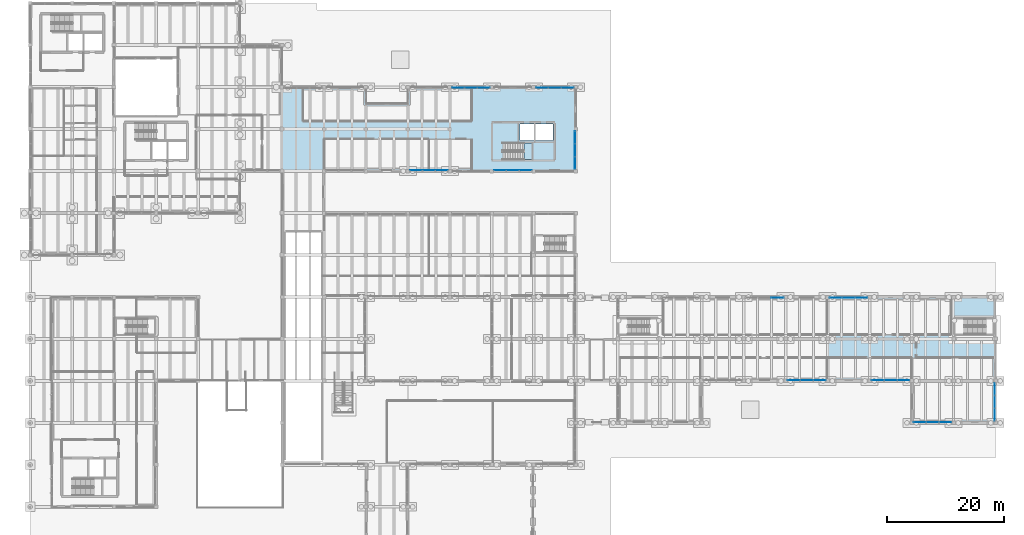
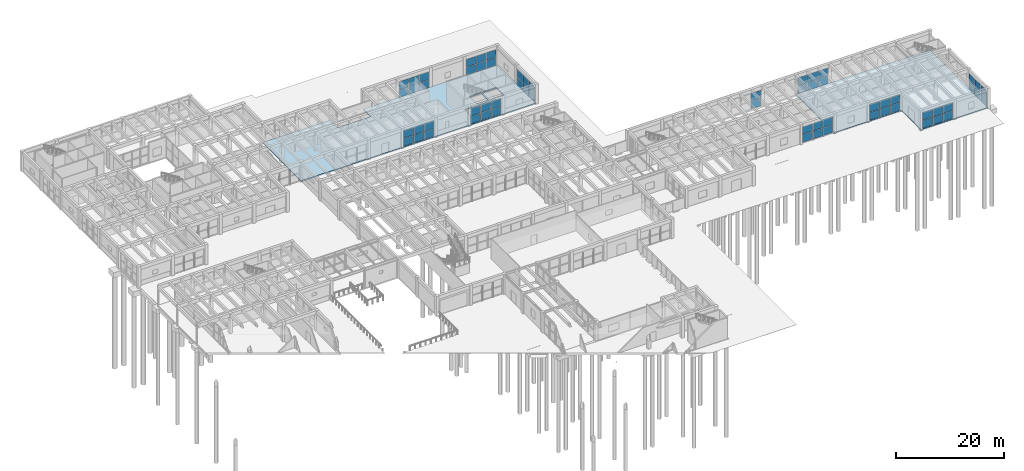
# One storey, part 115 of 155: 62 plates, 3 slabs, 12 elements without a shape of their own.
"""IFC4 building model written with IfcOpenShell, lengths in metres."""

from ifc_helpers import new_model, si_unit, direction, frame, origin, origin_2d, place, context, subcontext, project, spatial, polyline, rectangle, outline, extrude, material, layer, layer_set, type_object, element, aggregate, save


model = new_model("IFC4")

# Units and contexts
model_context = context("Model", 3, precision=1e-05, world=origin(), true_north=direction((0.0, 1.0)))
body_context = subcontext(model_context, "Body", "Model", "MODEL_VIEW")
ifc_project = project(units=[si_unit("LENGTHUNIT", "METRE"), si_unit("AREAUNIT", "SQUARE_METRE"), si_unit("VOLUMEUNIT", "CUBIC_METRE"), si_unit("PLANEANGLEUNIT", "RADIAN"), si_unit("MASSUNIT", "GRAM", prefix="KILO")], contexts=[model_context])

# Site, building, storey
site_placement = place(None, origin())
site = spatial("IfcSite", under=ifc_project, at=site_placement, CompositionType="ELEMENT")
building_placement = place(site_placement, origin())
building = spatial("IfcBuilding", under=site, at=building_placement, Name="Bramvelor Terrace Health Centre", CompositionType="ELEMENT")
storey_placement = place(building_placement, origin())
storey = spatial("IfcBuildingStorey", under=building, at=storey_placement, Name="L01", CompositionType="ELEMENT", Elevation=0.0)

# Curtain wall, plates
ifc_material_1 = material(Name="Anodized aluminium and double low-E glass", Category="aluminium")
curtain_wall_type = type_object("IfcCurtainWallType", Name="CW-SYS-02", PredefinedType="NOTDEFINED", material=ifc_material_1)
curtain_wall_1_placement = place(storey_placement, origin())
curtain_wall_1 = element("IfcCurtainWall", 1, at=curtain_wall_1_placement, inside=storey, type_object=curtain_wall_type, Name="L01 Unitized Curtain Wall 23", PredefinedType="NOTDEFINED")
ifc_material_2 = material(Name="Double low-E laminated glass", Category="glass")
ifc_layer_1 = layer(ifc_material_2, 0.028076171875)
ifc_layer_set_1 = layer_set([ifc_layer_1], Name="Double low-E laminated glass")
plate_type = type_object("IfcPlateType", Name="CW-PNL-GLZ28", PredefinedType="CURTAIN_PANEL", material=ifc_layer_set_1)
plate_1_placement = place(storey_placement, frame((73.41552734375, 100.669921875, 0.06494140625), z_axis=(0.0, 0.0, 1.0), x_axis=(1.0, 0.0, 0.0)))
plate_1 = element("IfcPlate", 2, at=plate_1_placement, type_object=plate_type, Name="CW-02 panel 1.1", PredefinedType="CURTAIN_PANEL", context=body_context, shape_type="SweptSolid", body=[
    extrude(rectangle(XDim=2.0908203125, YDim=0.028076171875, at=origin_2d()), origin(), (0.0, 0.0, 1.0), 1.74755859375),
])
plate_2_placement = place(storey_placement, frame((73.41552734375, 100.669921875, 1.87744140625), z_axis=(0.0, 0.0, 1.0), x_axis=(1.0, 0.0, 0.0)))
plate_2 = element("IfcPlate", 3, at=plate_2_placement, type_object=plate_type, Name="CW-02 panel 1.2", PredefinedType="CURTAIN_PANEL", context=body_context, shape_type="SweptSolid", body=[
    extrude(rectangle(XDim=2.0908203125, YDim=0.028076171875, at=origin_2d()), origin(), (0.0, 0.0, 1.0), 1.74755859375),
])
plate_3_placement = place(storey_placement, frame((75.60009765625, 100.669921875, 0.06494140625), z_axis=(0.0, 0.0, 1.0), x_axis=(1.0, 0.0, 0.0)))
plate_3 = element("IfcPlate", 4, at=plate_3_placement, type_object=plate_type, Name="CW-02 panel 2.1", PredefinedType="CURTAIN_PANEL", context=body_context, shape_type="SweptSolid", body=[
    extrude(rectangle(XDim=2.12841796875, YDim=0.028076171875, at=origin_2d()), origin(), (0.0, 0.0, 1.0), 1.74755859375),
])
plate_4_placement = place(storey_placement, frame((75.60009765625, 100.669921875, 1.87744140625), z_axis=(0.0, 0.0, 1.0), x_axis=(1.0, 0.0, 0.0)))
plate_4 = element("IfcPlate", 5, at=plate_4_placement, type_object=plate_type, Name="CW-02 panel 2.2", PredefinedType="CURTAIN_PANEL", context=body_context, shape_type="SweptSolid", body=[
    extrude(rectangle(XDim=2.12841796875, YDim=0.028076171875, at=origin_2d()), origin(), (0.0, 0.0, 1.0), 1.74755859375),
])
plate_5_placement = place(storey_placement, frame((77.78466796875, 100.669921875, 0.06494140625), z_axis=(0.0, 0.0, 1.0), x_axis=(1.0, 0.0, 0.0)))
plate_5 = element("IfcPlate", 6, at=plate_5_placement, type_object=plate_type, Name="CW-02 panel 3.1", PredefinedType="CURTAIN_PANEL", context=body_context, shape_type="SweptSolid", body=[
    extrude(rectangle(XDim=2.0908203125, YDim=0.028076171875, at=origin_2d()), origin(), (0.0, 0.0, 1.0), 1.74755859375),
])
plate_6_placement = place(storey_placement, frame((77.78466796875, 100.669921875, 1.87744140625), z_axis=(0.0, 0.0, 1.0), x_axis=(1.0, 0.0, 0.0)))
plate_6 = element("IfcPlate", 7, at=plate_6_placement, type_object=plate_type, Name="CW-02 panel 3.2", PredefinedType="CURTAIN_PANEL", context=body_context, shape_type="SweptSolid", body=[
    extrude(rectangle(XDim=2.0908203125, YDim=0.028076171875, at=origin_2d()), origin(), (0.0, 0.0, 1.0), 1.74755859375),
])
aggregate(curtain_wall_1, [plate_1, plate_2, plate_3, plate_4, plate_5, plate_6])

curtain_wall_2_placement = place(storey_placement, origin())
curtain_wall_2 = element("IfcCurtainWall", 8, at=curtain_wall_2_placement, inside=storey, type_object=curtain_wall_type, Name="L01 Unitized Curtain Wall 24", PredefinedType="NOTDEFINED")
plate_7_placement = place(storey_placement, frame((87.8154296875, 100.669921875, 0.06494140625), z_axis=(0.0, 0.0, 1.0), x_axis=(1.0, 0.0, 0.0)))
plate_7 = element("IfcPlate", 9, at=plate_7_placement, type_object=plate_type, Name="CW-02 panel 1.1", PredefinedType="CURTAIN_PANEL", context=body_context, shape_type="SweptSolid", body=[
    extrude(rectangle(XDim=2.0908203125, YDim=0.028076171875, at=origin_2d()), origin(), (0.0, 0.0, 1.0), 1.74755859375),
])
plate_8_placement = place(storey_placement, frame((87.8154296875, 100.669921875, 1.87744140625), z_axis=(0.0, 0.0, 1.0), x_axis=(1.0, 0.0, 0.0)))
plate_8 = element("IfcPlate", 10, at=plate_8_placement, type_object=plate_type, Name="CW-02 panel 1.2", PredefinedType="CURTAIN_PANEL", context=body_context, shape_type="SweptSolid", body=[
    extrude(rectangle(XDim=2.0908203125, YDim=0.028076171875, at=origin_2d()), origin(), (0.0, 0.0, 1.0), 1.74755859375),
])
plate_9_placement = place(storey_placement, frame((90.0, 100.669921875, 0.06494140625), z_axis=(0.0, 0.0, 1.0), x_axis=(1.0, 0.0, 0.0)))
plate_9 = element("IfcPlate", 11, at=plate_9_placement, type_object=plate_type, Name="CW-02 panel 2.1", PredefinedType="CURTAIN_PANEL", context=body_context, shape_type="SweptSolid", body=[
    extrude(rectangle(XDim=2.12841796875, YDim=0.028076171875, at=origin_2d()), origin(), (0.0, 0.0, 1.0), 1.74755859375),
])
plate_10_placement = place(storey_placement, frame((90.0, 100.669921875, 1.87744140625), z_axis=(0.0, 0.0, 1.0), x_axis=(1.0, 0.0, 0.0)))
plate_10 = element("IfcPlate", 12, at=plate_10_placement, type_object=plate_type, Name="CW-02 panel 2.2", PredefinedType="CURTAIN_PANEL", context=body_context, shape_type="SweptSolid", body=[
    extrude(rectangle(XDim=2.12841796875, YDim=0.028076171875, at=origin_2d()), origin(), (0.0, 0.0, 1.0), 1.74755859375),
])
plate_11_placement = place(storey_placement, frame((92.1845703125, 100.669921875, 0.06494140625), z_axis=(0.0, 0.0, 1.0), x_axis=(1.0, 0.0, 0.0)))
plate_11 = element("IfcPlate", 13, at=plate_11_placement, type_object=plate_type, Name="CW-02 panel 3.1", PredefinedType="CURTAIN_PANEL", context=body_context, shape_type="SweptSolid", body=[
    extrude(rectangle(XDim=2.0908203125, YDim=0.028076171875, at=origin_2d()), origin(), (0.0, 0.0, 1.0), 1.74755859375),
])
plate_12_placement = place(storey_placement, frame((92.1845703125, 100.669921875, 1.87744140625), z_axis=(0.0, 0.0, 1.0), x_axis=(1.0, 0.0, 0.0)))
plate_12 = element("IfcPlate", 14, at=plate_12_placement, type_object=plate_type, Name="CW-02 panel 3.2", PredefinedType="CURTAIN_PANEL", context=body_context, shape_type="SweptSolid", body=[
    extrude(rectangle(XDim=2.0908203125, YDim=0.028076171875, at=origin_2d()), origin(), (0.0, 0.0, 1.0), 1.74755859375),
])
aggregate(curtain_wall_2, [plate_7, plate_8, plate_9, plate_10, plate_11, plate_12])

curtain_wall_3_placement = place(storey_placement, origin())
curtain_wall_3 = element("IfcCurtainWall", 15, at=curtain_wall_3_placement, inside=storey, type_object=curtain_wall_type, Name="L01 Unitized Curtain Wall 25", PredefinedType="NOTDEFINED")
plate_13_placement = place(storey_placement, frame((93.469970703125, 92.1845703125, 0.06494140625), z_axis=(0.0, 0.0, 1.0), x_axis=(0.0, -1.0, 0.0)))
plate_13 = element("IfcPlate", 16, at=plate_13_placement, type_object=plate_type, Name="CW-02 panel 1.1", PredefinedType="CURTAIN_PANEL", context=body_context, shape_type="SweptSolid", body=[
    extrude(rectangle(XDim=2.0908203125, YDim=0.028076171875, at=origin_2d()), origin(), (0.0, 0.0, 1.0), 1.74755859375),
])
plate_14_placement = place(storey_placement, frame((93.469970703125, 92.1845703125, 1.87744140625), z_axis=(0.0, 0.0, 1.0), x_axis=(0.0, -1.0, 0.0)))
plate_14 = element("IfcPlate", 17, at=plate_14_placement, type_object=plate_type, Name="CW-02 panel 1.2", PredefinedType="CURTAIN_PANEL", context=body_context, shape_type="SweptSolid", body=[
    extrude(rectangle(XDim=2.0908203125, YDim=0.028076171875, at=origin_2d()), origin(), (0.0, 0.0, 1.0), 1.74755859375),
])
plate_15_placement = place(storey_placement, frame((93.469970703125, 90.0, 0.06494140625), z_axis=(0.0, 0.0, 1.0), x_axis=(0.0, -1.0, 0.0)))
plate_15 = element("IfcPlate", 18, at=plate_15_placement, type_object=plate_type, Name="CW-02 panel 2.1", PredefinedType="CURTAIN_PANEL", context=body_context, shape_type="SweptSolid", body=[
    extrude(rectangle(XDim=2.12841796875, YDim=0.028076171875, at=origin_2d()), origin(), (0.0, 0.0, 1.0), 1.74755859375),
])
plate_16_placement = place(storey_placement, frame((93.469970703125, 90.0, 1.87744140625), z_axis=(0.0, 0.0, 1.0), x_axis=(0.0, -1.0, 0.0)))
plate_16 = element("IfcPlate", 19, at=plate_16_placement, type_object=plate_type, Name="CW-02 panel 2.2", PredefinedType="CURTAIN_PANEL", context=body_context, shape_type="SweptSolid", body=[
    extrude(rectangle(XDim=2.12841796875, YDim=0.028076171875, at=origin_2d()), origin(), (0.0, 0.0, 1.0), 1.74755859375),
])
plate_17_placement = place(storey_placement, frame((93.469970703125, 87.8154296875, 0.06494140625), z_axis=(0.0, 0.0, 1.0), x_axis=(0.0, -1.0, 0.0)))
plate_17 = element("IfcPlate", 20, at=plate_17_placement, type_object=plate_type, Name="CW-02 panel 3.1", PredefinedType="CURTAIN_PANEL", context=body_context, shape_type="SweptSolid", body=[
    extrude(rectangle(XDim=2.0908203125, YDim=0.028076171875, at=origin_2d()), origin(), (0.0, 0.0, 1.0), 1.74755859375),
])
plate_18_placement = place(storey_placement, frame((93.469970703125, 87.8154296875, 1.87744140625), z_axis=(0.0, 0.0, 1.0), x_axis=(0.0, -1.0, 0.0)))
plate_18 = element("IfcPlate", 21, at=plate_18_placement, type_object=plate_type, Name="CW-02 panel 3.2", PredefinedType="CURTAIN_PANEL", context=body_context, shape_type="SweptSolid", body=[
    extrude(rectangle(XDim=2.0908203125, YDim=0.028076171875, at=origin_2d()), origin(), (0.0, 0.0, 1.0), 1.74755859375),
])
aggregate(curtain_wall_3, [plate_13, plate_14, plate_15, plate_16, plate_17, plate_18])

curtain_wall_4_placement = place(storey_placement, origin())
curtain_wall_4 = element("IfcCurtainWall", 22, at=curtain_wall_4_placement, inside=storey, type_object=curtain_wall_type, Name="L01 Unitized Curtain Wall 26", PredefinedType="NOTDEFINED")
plate_19_placement = place(storey_placement, frame((84.984619140625, 86.530029296875, 0.06494140625), z_axis=(0.0, 0.0, 1.0), x_axis=(-1.0, 0.0, 0.0)))
plate_19 = element("IfcPlate", 23, at=plate_19_placement, type_object=plate_type, Name="CW-02 panel 1.1", PredefinedType="CURTAIN_PANEL", context=body_context, shape_type="SweptSolid", body=[
    extrude(rectangle(XDim=2.0908203125, YDim=0.028076171875, at=origin_2d()), origin(), (0.0, 0.0, 1.0), 1.74755859375),
])
plate_20_placement = place(storey_placement, frame((84.984619140625, 86.530029296875, 1.87744140625), z_axis=(0.0, 0.0, 1.0), x_axis=(-1.0, 0.0, 0.0)))
plate_20 = element("IfcPlate", 24, at=plate_20_placement, type_object=plate_type, Name="CW-02 panel 1.2", PredefinedType="CURTAIN_PANEL", context=body_context, shape_type="SweptSolid", body=[
    extrude(rectangle(XDim=2.0908203125, YDim=0.028076171875, at=origin_2d()), origin(), (0.0, 0.0, 1.0), 1.74755859375),
])
plate_21_placement = place(storey_placement, frame((82.800048828125, 86.530029296875, 0.06494140625), z_axis=(0.0, 0.0, 1.0), x_axis=(-1.0, 0.0, 0.0)))
plate_21 = element("IfcPlate", 25, at=plate_21_placement, type_object=plate_type, Name="CW-02 panel 2.1", PredefinedType="CURTAIN_PANEL", context=body_context, shape_type="SweptSolid", body=[
    extrude(rectangle(XDim=2.12841796875, YDim=0.028076171875, at=origin_2d()), origin(), (0.0, 0.0, 1.0), 1.74755859375),
])
plate_22_placement = place(storey_placement, frame((82.800048828125, 86.530029296875, 1.87744140625), z_axis=(0.0, 0.0, 1.0), x_axis=(-1.0, 0.0, 0.0)))
plate_22 = element("IfcPlate", 26, at=plate_22_placement, type_object=plate_type, Name="CW-02 panel 2.2", PredefinedType="CURTAIN_PANEL", context=body_context, shape_type="SweptSolid", body=[
    extrude(rectangle(XDim=2.12841796875, YDim=0.028076171875, at=origin_2d()), origin(), (0.0, 0.0, 1.0), 1.74755859375),
])
plate_23_placement = place(storey_placement, frame((80.615478515625, 86.530029296875, 0.06494140625), z_axis=(0.0, 0.0, 1.0), x_axis=(-1.0, 0.0, 0.0)))
plate_23 = element("IfcPlate", 27, at=plate_23_placement, type_object=plate_type, Name="CW-02 panel 3.1", PredefinedType="CURTAIN_PANEL", context=body_context, shape_type="SweptSolid", body=[
    extrude(rectangle(XDim=2.0908203125, YDim=0.028076171875, at=origin_2d()), origin(), (0.0, 0.0, 1.0), 1.74755859375),
])
plate_24_placement = place(storey_placement, frame((80.615478515625, 86.530029296875, 1.87744140625), z_axis=(0.0, 0.0, 1.0), x_axis=(-1.0, 0.0, 0.0)))
plate_24 = element("IfcPlate", 28, at=plate_24_placement, type_object=plate_type, Name="CW-02 panel 3.2", PredefinedType="CURTAIN_PANEL", context=body_context, shape_type="SweptSolid", body=[
    extrude(rectangle(XDim=2.0908203125, YDim=0.028076171875, at=origin_2d()), origin(), (0.0, 0.0, 1.0), 1.74755859375),
])
aggregate(curtain_wall_4, [plate_19, plate_20, plate_21, plate_22, plate_23, plate_24])

curtain_wall_5_placement = place(storey_placement, origin())
curtain_wall_5 = element("IfcCurtainWall", 29, at=curtain_wall_5_placement, inside=storey, type_object=curtain_wall_type, Name="L01 Unitized Curtain Wall 27", PredefinedType="NOTDEFINED")
plate_25_placement = place(storey_placement, frame((70.58447265625, 86.530029296875, 0.06494140625), z_axis=(0.0, 0.0, 1.0), x_axis=(-1.0, 0.0, 0.0)))
plate_25 = element("IfcPlate", 30, at=plate_25_placement, type_object=plate_type, Name="CW-02 panel 1.1", PredefinedType="CURTAIN_PANEL", context=body_context, shape_type="SweptSolid", body=[
    extrude(rectangle(XDim=2.0908203125, YDim=0.028076171875, at=origin_2d()), origin(), (0.0, 0.0, 1.0), 1.74755859375),
])
plate_26_placement = place(storey_placement, frame((70.58447265625, 86.530029296875, 1.87744140625), z_axis=(0.0, 0.0, 1.0), x_axis=(-1.0, 0.0, 0.0)))
plate_26 = element("IfcPlate", 31, at=plate_26_placement, type_object=plate_type, Name="CW-02 panel 1.2", PredefinedType="CURTAIN_PANEL", context=body_context, shape_type="SweptSolid", body=[
    extrude(rectangle(XDim=2.0908203125, YDim=0.028076171875, at=origin_2d()), origin(), (0.0, 0.0, 1.0), 1.74755859375),
])
plate_27_placement = place(storey_placement, frame((68.39990234375, 86.530029296875, 0.06494140625), z_axis=(0.0, 0.0, 1.0), x_axis=(-1.0, 0.0, 0.0)))
plate_27 = element("IfcPlate", 32, at=plate_27_placement, type_object=plate_type, Name="CW-02 panel 2.1", PredefinedType="CURTAIN_PANEL", context=body_context, shape_type="SweptSolid", body=[
    extrude(rectangle(XDim=2.12841796875, YDim=0.028076171875, at=origin_2d()), origin(), (0.0, 0.0, 1.0), 1.74755859375),
])
plate_28_placement = place(storey_placement, frame((68.39990234375, 86.530029296875, 1.87744140625), z_axis=(0.0, 0.0, 1.0), x_axis=(-1.0, 0.0, 0.0)))
plate_28 = element("IfcPlate", 33, at=plate_28_placement, type_object=plate_type, Name="CW-02 panel 2.2", PredefinedType="CURTAIN_PANEL", context=body_context, shape_type="SweptSolid", body=[
    extrude(rectangle(XDim=2.12841796875, YDim=0.028076171875, at=origin_2d()), origin(), (0.0, 0.0, 1.0), 1.74755859375),
])
plate_29_placement = place(storey_placement, frame((66.21533203125, 86.530029296875, 0.06494140625), z_axis=(0.0, 0.0, 1.0), x_axis=(-1.0, 0.0, 0.0)))
plate_29 = element("IfcPlate", 34, at=plate_29_placement, type_object=plate_type, Name="CW-02 panel 3.1", PredefinedType="CURTAIN_PANEL", context=body_context, shape_type="SweptSolid", body=[
    extrude(rectangle(XDim=2.0908203125, YDim=0.028076171875, at=origin_2d()), origin(), (0.0, 0.0, 1.0), 1.74755859375),
])
plate_30_placement = place(storey_placement, frame((66.21533203125, 86.530029296875, 1.87744140625), z_axis=(0.0, 0.0, 1.0), x_axis=(-1.0, 0.0, 0.0)))
plate_30 = element("IfcPlate", 35, at=plate_30_placement, type_object=plate_type, Name="CW-02 panel 3.2", PredefinedType="CURTAIN_PANEL", context=body_context, shape_type="SweptSolid", body=[
    extrude(rectangle(XDim=2.0908203125, YDim=0.028076171875, at=origin_2d()), origin(), (0.0, 0.0, 1.0), 1.74755859375),
])
aggregate(curtain_wall_5, [plate_25, plate_26, plate_27, plate_28, plate_29, plate_30])

curtain_wall_6_placement = place(storey_placement, origin())
curtain_wall_6 = element("IfcCurtainWall", 36, at=curtain_wall_6_placement, inside=storey, type_object=curtain_wall_type, Name="L01 Unitized Curtain Wall 38", PredefinedType="NOTDEFINED")
plate_31_placement = place(storey_placement, frame((128.1845703125, 64.669921875, 0.06494140625), z_axis=(0.0, 0.0, 1.0), x_axis=(1.0, 0.0, 0.0)))
plate_31 = element("IfcPlate", 37, at=plate_31_placement, type_object=plate_type, Name="CW-02 panel 3.1", PredefinedType="CURTAIN_PANEL", context=body_context, shape_type="SweptSolid", body=[
    extrude(rectangle(XDim=2.0908203125, YDim=0.028076171875, at=origin_2d()), origin(), (0.0, 0.0, 1.0), 1.762451171875),
])
plate_32_placement = place(storey_placement, frame((128.1845703125, 64.669921875, 1.892578125), z_axis=(0.0, 0.0, 1.0), x_axis=(1.0, 0.0, 0.0)))
plate_32 = element("IfcPlate", 38, at=plate_32_placement, type_object=plate_type, Name="CW-02 panel 3.2", PredefinedType="CURTAIN_PANEL", context=body_context, shape_type="SweptSolid", body=[
    extrude(rectangle(XDim=2.0908203125, YDim=0.028076171875, at=origin_2d()), origin(), (0.0, 0.0, 1.0), 1.762451171875),
])
aggregate(curtain_wall_6, [plate_31, plate_32])

curtain_wall_7_placement = place(storey_placement, origin())
curtain_wall_7 = element("IfcCurtainWall", 39, at=curtain_wall_7_placement, inside=storey, type_object=curtain_wall_type, Name="L01 Unitized Curtain Wall 39", PredefinedType="NOTDEFINED")
plate_33_placement = place(storey_placement, frame((138.21533203125, 64.669921875, 0.06494140625), z_axis=(0.0, 0.0, 1.0), x_axis=(1.0, 0.0, 0.0)))
plate_33 = element("IfcPlate", 40, at=plate_33_placement, type_object=plate_type, Name="CW-02 panel 1.1", PredefinedType="CURTAIN_PANEL", context=body_context, shape_type="SweptSolid", body=[
    extrude(rectangle(XDim=2.0908203125, YDim=0.028076171875, at=origin_2d()), origin(), (0.0, 0.0, 1.0), 1.762451171875),
])
plate_34_placement = place(storey_placement, frame((138.21533203125, 64.669921875, 1.892578125), z_axis=(0.0, 0.0, 1.0), x_axis=(1.0, 0.0, 0.0)))
plate_34 = element("IfcPlate", 41, at=plate_34_placement, type_object=plate_type, Name="CW-02 panel 1.2", PredefinedType="CURTAIN_PANEL", context=body_context, shape_type="SweptSolid", body=[
    extrude(rectangle(XDim=2.0908203125, YDim=0.028076171875, at=origin_2d()), origin(), (0.0, 0.0, 1.0), 1.762451171875),
])
plate_35_placement = place(storey_placement, frame((140.39990234375, 64.669921875, 0.06494140625), z_axis=(0.0, 0.0, 1.0), x_axis=(1.0, 0.0, 0.0)))
plate_35 = element("IfcPlate", 42, at=plate_35_placement, type_object=plate_type, Name="CW-02 panel 2.1", PredefinedType="CURTAIN_PANEL", context=body_context, shape_type="SweptSolid", body=[
    extrude(rectangle(XDim=2.12841796875, YDim=0.028076171875, at=origin_2d()), origin(), (0.0, 0.0, 1.0), 1.762451171875),
])
plate_36_placement = place(storey_placement, frame((140.39990234375, 64.669921875, 1.892578125), z_axis=(0.0, 0.0, 1.0), x_axis=(1.0, 0.0, 0.0)))
plate_36 = element("IfcPlate", 43, at=plate_36_placement, type_object=plate_type, Name="CW-02 panel 2.2", PredefinedType="CURTAIN_PANEL", context=body_context, shape_type="SweptSolid", body=[
    extrude(rectangle(XDim=2.12841796875, YDim=0.028076171875, at=origin_2d()), origin(), (0.0, 0.0, 1.0), 1.762451171875),
])
plate_37_placement = place(storey_placement, frame((142.58447265625, 64.669921875, 0.06494140625), z_axis=(0.0, 0.0, 1.0), x_axis=(1.0, 0.0, 0.0)))
plate_37 = element("IfcPlate", 44, at=plate_37_placement, type_object=plate_type, Name="CW-02 panel 3.1", PredefinedType="CURTAIN_PANEL", context=body_context, shape_type="SweptSolid", body=[
    extrude(rectangle(XDim=2.0908203125, YDim=0.028076171875, at=origin_2d()), origin(), (0.0, 0.0, 1.0), 1.762451171875),
])
plate_38_placement = place(storey_placement, frame((142.58447265625, 64.669921875, 1.892578125), z_axis=(0.0, 0.0, 1.0), x_axis=(1.0, 0.0, 0.0)))
plate_38 = element("IfcPlate", 45, at=plate_38_placement, type_object=plate_type, Name="CW-02 panel 3.2", PredefinedType="CURTAIN_PANEL", context=body_context, shape_type="SweptSolid", body=[
    extrude(rectangle(XDim=2.0908203125, YDim=0.028076171875, at=origin_2d()), origin(), (0.0, 0.0, 1.0), 1.762451171875),
])
aggregate(curtain_wall_7, [plate_33, plate_34, plate_35, plate_36, plate_37, plate_38])

curtain_wall_8_placement = place(storey_placement, origin())
curtain_wall_8 = element("IfcCurtainWall", 46, at=curtain_wall_8_placement, inside=storey, type_object=curtain_wall_type, Name="L01 Unitized Curtain Wall 40", PredefinedType="NOTDEFINED")
plate_39_placement = place(storey_placement, frame((165.469970703125, 48.984619140625, 0.06494140625), z_axis=(0.0, 0.0, 1.0), x_axis=(0.0, -1.0, 0.0)))
plate_39 = element("IfcPlate", 47, at=plate_39_placement, type_object=plate_type, Name="CW-02 panel 1.1", PredefinedType="CURTAIN_PANEL", context=body_context, shape_type="SweptSolid", body=[
    extrude(rectangle(XDim=2.0908203125, YDim=0.028076171875, at=origin_2d()), origin(), (0.0, 0.0, 1.0), 1.762451171875),
])
plate_40_placement = place(storey_placement, frame((165.469970703125, 48.984619140625, 1.892578125), z_axis=(0.0, 0.0, 1.0), x_axis=(0.0, -1.0, 0.0)))
plate_40 = element("IfcPlate", 48, at=plate_40_placement, type_object=plate_type, Name="CW-02 panel 1.2", PredefinedType="CURTAIN_PANEL", context=body_context, shape_type="SweptSolid", body=[
    extrude(rectangle(XDim=2.0908203125, YDim=0.028076171875, at=origin_2d()), origin(), (0.0, 0.0, 1.0), 1.762451171875),
])
plate_41_placement = place(storey_placement, frame((165.469970703125, 46.800048828125, 0.06494140625), z_axis=(0.0, 0.0, 1.0), x_axis=(0.0, -1.0, 0.0)))
plate_41 = element("IfcPlate", 49, at=plate_41_placement, type_object=plate_type, Name="CW-02 panel 2.1", PredefinedType="CURTAIN_PANEL", context=body_context, shape_type="SweptSolid", body=[
    extrude(rectangle(XDim=2.12841796875, YDim=0.028076171875, at=origin_2d()), origin(), (0.0, 0.0, 1.0), 1.762451171875),
])
plate_42_placement = place(storey_placement, frame((165.469970703125, 46.800048828125, 1.892578125), z_axis=(0.0, 0.0, 1.0), x_axis=(0.0, -1.0, 0.0)))
plate_42 = element("IfcPlate", 50, at=plate_42_placement, type_object=plate_type, Name="CW-02 panel 2.2", PredefinedType="CURTAIN_PANEL", context=body_context, shape_type="SweptSolid", body=[
    extrude(rectangle(XDim=2.12841796875, YDim=0.028076171875, at=origin_2d()), origin(), (0.0, 0.0, 1.0), 1.762451171875),
])
plate_43_placement = place(storey_placement, frame((165.469970703125, 44.615478515625, 0.06494140625), z_axis=(0.0, 0.0, 1.0), x_axis=(0.0, -1.0, 0.0)))
plate_43 = element("IfcPlate", 51, at=plate_43_placement, type_object=plate_type, Name="CW-02 panel 3.1", PredefinedType="CURTAIN_PANEL", context=body_context, shape_type="SweptSolid", body=[
    extrude(rectangle(XDim=2.0908203125, YDim=0.028076171875, at=origin_2d()), origin(), (0.0, 0.0, 1.0), 1.762451171875),
])
plate_44_placement = place(storey_placement, frame((165.469970703125, 44.615478515625, 1.892578125), z_axis=(0.0, 0.0, 1.0), x_axis=(0.0, -1.0, 0.0)))
plate_44 = element("IfcPlate", 52, at=plate_44_placement, type_object=plate_type, Name="CW-02 panel 3.2", PredefinedType="CURTAIN_PANEL", context=body_context, shape_type="SweptSolid", body=[
    extrude(rectangle(XDim=2.0908203125, YDim=0.028076171875, at=origin_2d()), origin(), (0.0, 0.0, 1.0), 1.762451171875),
])
aggregate(curtain_wall_8, [plate_39, plate_40, plate_41, plate_42, plate_43, plate_44])

curtain_wall_9_placement = place(storey_placement, origin())
curtain_wall_9 = element("IfcCurtainWall", 53, at=curtain_wall_9_placement, inside=storey, type_object=curtain_wall_type, Name="L01 Unitized Curtain Wall 41", PredefinedType="NOTDEFINED")
plate_45_placement = place(storey_placement, frame((156.984619140625, 43.330078125, 0.06494140625), z_axis=(0.0, 0.0, 1.0), x_axis=(-1.0, 0.0, 0.0)))
plate_45 = element("IfcPlate", 54, at=plate_45_placement, type_object=plate_type, Name="CW-02 panel 1.1", PredefinedType="CURTAIN_PANEL", context=body_context, shape_type="SweptSolid", body=[
    extrude(rectangle(XDim=2.0908203125, YDim=0.028076171875, at=origin_2d()), origin(), (0.0, 0.0, 1.0), 1.762451171875),
])
plate_46_placement = place(storey_placement, frame((156.984619140625, 43.330078125, 1.892578125), z_axis=(0.0, 0.0, 1.0), x_axis=(-1.0, 0.0, 0.0)))
plate_46 = element("IfcPlate", 55, at=plate_46_placement, type_object=plate_type, Name="CW-02 panel 1.2", PredefinedType="CURTAIN_PANEL", context=body_context, shape_type="SweptSolid", body=[
    extrude(rectangle(XDim=2.0908203125, YDim=0.028076171875, at=origin_2d()), origin(), (0.0, 0.0, 1.0), 1.762451171875),
])
plate_47_placement = place(storey_placement, frame((154.800048828125, 43.330078125, 0.06494140625), z_axis=(0.0, 0.0, 1.0), x_axis=(-1.0, 0.0, 0.0)))
plate_47 = element("IfcPlate", 56, at=plate_47_placement, type_object=plate_type, Name="CW-02 panel 2.1", PredefinedType="CURTAIN_PANEL", context=body_context, shape_type="SweptSolid", body=[
    extrude(rectangle(XDim=2.12841796875, YDim=0.028076171875, at=origin_2d()), origin(), (0.0, 0.0, 1.0), 1.762451171875),
])
plate_48_placement = place(storey_placement, frame((154.800048828125, 43.330078125, 1.892578125), z_axis=(0.0, 0.0, 1.0), x_axis=(-1.0, 0.0, 0.0)))
plate_48 = element("IfcPlate", 57, at=plate_48_placement, type_object=plate_type, Name="CW-02 panel 2.2", PredefinedType="CURTAIN_PANEL", context=body_context, shape_type="SweptSolid", body=[
    extrude(rectangle(XDim=2.12841796875, YDim=0.028076171875, at=origin_2d()), origin(), (0.0, 0.0, 1.0), 1.762451171875),
])
plate_49_placement = place(storey_placement, frame((152.615478515625, 43.330078125, 0.06494140625), z_axis=(0.0, 0.0, 1.0), x_axis=(-1.0, 0.0, 0.0)))
plate_49 = element("IfcPlate", 58, at=plate_49_placement, type_object=plate_type, Name="CW-02 panel 3.1", PredefinedType="CURTAIN_PANEL", context=body_context, shape_type="SweptSolid", body=[
    extrude(rectangle(XDim=2.0908203125, YDim=0.028076171875, at=origin_2d()), origin(), (0.0, 0.0, 1.0), 1.762451171875),
])
plate_50_placement = place(storey_placement, frame((152.615478515625, 43.330078125, 1.892578125), z_axis=(0.0, 0.0, 1.0), x_axis=(-1.0, 0.0, 0.0)))
plate_50 = element("IfcPlate", 59, at=plate_50_placement, type_object=plate_type, Name="CW-02 panel 3.2", PredefinedType="CURTAIN_PANEL", context=body_context, shape_type="SweptSolid", body=[
    extrude(rectangle(XDim=2.0908203125, YDim=0.028076171875, at=origin_2d()), origin(), (0.0, 0.0, 1.0), 1.762451171875),
])
aggregate(curtain_wall_9, [plate_45, plate_46, plate_47, plate_48, plate_49, plate_50])

curtain_wall_10_placement = place(storey_placement, origin())
curtain_wall_10 = element("IfcCurtainWall", 60, at=curtain_wall_10_placement, inside=storey, type_object=curtain_wall_type, Name="L01 Unitized Curtain Wall 42", PredefinedType="NOTDEFINED")
plate_51_placement = place(storey_placement, frame((149.78466796875, 50.530029296875, 0.06494140625), z_axis=(0.0, 0.0, 1.0), x_axis=(-1.0, 0.0, 0.0)))
plate_51 = element("IfcPlate", 61, at=plate_51_placement, type_object=plate_type, Name="CW-02 panel 1.1", PredefinedType="CURTAIN_PANEL", context=body_context, shape_type="SweptSolid", body=[
    extrude(rectangle(XDim=2.0908203125, YDim=0.028076171875, at=origin_2d()), origin(), (0.0, 0.0, 1.0), 1.762451171875),
])
plate_52_placement = place(storey_placement, frame((149.78466796875, 50.530029296875, 1.892578125), z_axis=(0.0, 0.0, 1.0), x_axis=(-1.0, 0.0, 0.0)))
plate_52 = element("IfcPlate", 62, at=plate_52_placement, type_object=plate_type, Name="CW-02 panel 1.2", PredefinedType="CURTAIN_PANEL", context=body_context, shape_type="SweptSolid", body=[
    extrude(rectangle(XDim=2.0908203125, YDim=0.028076171875, at=origin_2d()), origin(), (0.0, 0.0, 1.0), 1.762451171875),
])
plate_53_placement = place(storey_placement, frame((147.60009765625, 50.530029296875, 0.06494140625), z_axis=(0.0, 0.0, 1.0), x_axis=(-1.0, 0.0, 0.0)))
plate_53 = element("IfcPlate", 63, at=plate_53_placement, type_object=plate_type, Name="CW-02 panel 2.1", PredefinedType="CURTAIN_PANEL", context=body_context, shape_type="SweptSolid", body=[
    extrude(rectangle(XDim=2.12841796875, YDim=0.028076171875, at=origin_2d()), origin(), (0.0, 0.0, 1.0), 1.762451171875),
])
plate_54_placement = place(storey_placement, frame((147.60009765625, 50.530029296875, 1.892578125), z_axis=(0.0, 0.0, 1.0), x_axis=(-1.0, 0.0, 0.0)))
plate_54 = element("IfcPlate", 64, at=plate_54_placement, type_object=plate_type, Name="CW-02 panel 2.2", PredefinedType="CURTAIN_PANEL", context=body_context, shape_type="SweptSolid", body=[
    extrude(rectangle(XDim=2.12841796875, YDim=0.028076171875, at=origin_2d()), origin(), (0.0, 0.0, 1.0), 1.762451171875),
])
plate_55_placement = place(storey_placement, frame((145.41552734375, 50.530029296875, 0.06494140625), z_axis=(0.0, 0.0, 1.0), x_axis=(-1.0, 0.0, 0.0)))
plate_55 = element("IfcPlate", 65, at=plate_55_placement, type_object=plate_type, Name="CW-02 panel 3.1", PredefinedType="CURTAIN_PANEL", context=body_context, shape_type="SweptSolid", body=[
    extrude(rectangle(XDim=2.0908203125, YDim=0.028076171875, at=origin_2d()), origin(), (0.0, 0.0, 1.0), 1.762451171875),
])
plate_56_placement = place(storey_placement, frame((145.41552734375, 50.530029296875, 1.892578125), z_axis=(0.0, 0.0, 1.0), x_axis=(-1.0, 0.0, 0.0)))
plate_56 = element("IfcPlate", 66, at=plate_56_placement, type_object=plate_type, Name="CW-02 panel 3.2", PredefinedType="CURTAIN_PANEL", context=body_context, shape_type="SweptSolid", body=[
    extrude(rectangle(XDim=2.0908203125, YDim=0.028076171875, at=origin_2d()), origin(), (0.0, 0.0, 1.0), 1.762451171875),
])
aggregate(curtain_wall_10, [plate_51, plate_52, plate_53, plate_54, plate_55, plate_56])

curtain_wall_11_placement = place(storey_placement, origin())
curtain_wall_11 = element("IfcCurtainWall", 67, at=curtain_wall_11_placement, inside=storey, type_object=curtain_wall_type, Name="L01 Unitized Curtain Wall 43", PredefinedType="NOTDEFINED")
plate_57_placement = place(storey_placement, frame((135.384521484375, 50.530029296875, 0.06494140625), z_axis=(0.0, 0.0, 1.0), x_axis=(-1.0, 0.0, 0.0)))
plate_57 = element("IfcPlate", 68, at=plate_57_placement, type_object=plate_type, Name="CW-02 panel 1.1", PredefinedType="CURTAIN_PANEL", context=body_context, shape_type="SweptSolid", body=[
    extrude(rectangle(XDim=2.0908203125, YDim=0.028076171875, at=origin_2d()), origin(), (0.0, 0.0, 1.0), 1.762451171875),
])
plate_58_placement = place(storey_placement, frame((135.384521484375, 50.530029296875, 1.892578125), z_axis=(0.0, 0.0, 1.0), x_axis=(-1.0, 0.0, 0.0)))
plate_58 = element("IfcPlate", 69, at=plate_58_placement, type_object=plate_type, Name="CW-02 panel 1.2", PredefinedType="CURTAIN_PANEL", context=body_context, shape_type="SweptSolid", body=[
    extrude(rectangle(XDim=2.0908203125, YDim=0.028076171875, at=origin_2d()), origin(), (0.0, 0.0, 1.0), 1.762451171875),
])
plate_59_placement = place(storey_placement, frame((133.199951171875, 50.530029296875, 0.06494140625), z_axis=(0.0, 0.0, 1.0), x_axis=(-1.0, 0.0, 0.0)))
plate_59 = element("IfcPlate", 70, at=plate_59_placement, type_object=plate_type, Name="CW-02 panel 2.1", PredefinedType="CURTAIN_PANEL", context=body_context, shape_type="SweptSolid", body=[
    extrude(rectangle(XDim=2.12841796875, YDim=0.028076171875, at=origin_2d()), origin(), (0.0, 0.0, 1.0), 1.762451171875),
])
plate_60_placement = place(storey_placement, frame((133.199951171875, 50.530029296875, 1.892578125), z_axis=(0.0, 0.0, 1.0), x_axis=(-1.0, 0.0, 0.0)))
plate_60 = element("IfcPlate", 71, at=plate_60_placement, type_object=plate_type, Name="CW-02 panel 2.2", PredefinedType="CURTAIN_PANEL", context=body_context, shape_type="SweptSolid", body=[
    extrude(rectangle(XDim=2.12841796875, YDim=0.028076171875, at=origin_2d()), origin(), (0.0, 0.0, 1.0), 1.762451171875),
])
plate_61_placement = place(storey_placement, frame((131.015380859375, 50.530029296875, 0.06494140625), z_axis=(0.0, 0.0, 1.0), x_axis=(-1.0, 0.0, 0.0)))
plate_61 = element("IfcPlate", 72, at=plate_61_placement, type_object=plate_type, Name="CW-02 panel 3.1", PredefinedType="CURTAIN_PANEL", context=body_context, shape_type="SweptSolid", body=[
    extrude(rectangle(XDim=2.0908203125, YDim=0.028076171875, at=origin_2d()), origin(), (0.0, 0.0, 1.0), 1.762451171875),
])
plate_62_placement = place(storey_placement, frame((131.015380859375, 50.530029296875, 1.892578125), z_axis=(0.0, 0.0, 1.0), x_axis=(-1.0, 0.0, 0.0)))
plate_62 = element("IfcPlate", 73, at=plate_62_placement, type_object=plate_type, Name="CW-02 panel 3.2", PredefinedType="CURTAIN_PANEL", context=body_context, shape_type="SweptSolid", body=[
    extrude(rectangle(XDim=2.0908203125, YDim=0.028076171875, at=origin_2d()), origin(), (0.0, 0.0, 1.0), 1.762451171875),
])
aggregate(curtain_wall_11, [plate_57, plate_58, plate_59, plate_60, plate_61, plate_62])

# Slabs
ifc_material_3 = material(Name="Concrete C40/50", Category="concrete")
ifc_layer_2 = layer(ifc_material_3, 0.25)
ifc_layer_set_2 = layer_set([ifc_layer_2], Name="Concrete C40/50")
slab_type_1 = type_object("IfcSlabType", Name="SLB-FLR-RC250", PredefinedType="FLOOR", material=ifc_layer_set_2)
slab_1_placement = place(storey_placement, frame((0.0, 0.0, -0.25)))
element("IfcSlab", 74, at=slab_1_placement, inside=storey, type_object=slab_type_1, Name="L01 V2_E Floor Slab", PredefinedType="FLOOR", context=body_context, shape_type="SweptSolid", body=[
    extrude(outline(polyline([(136.800048828125, 50.39990234375), (136.800048828125, 64.800048828125), (165.60009765625, 64.800048828125), (165.60009765625, 50.39990234375), (165.60009765625, 43.199951171875), (151.199951171875, 43.199951171875), (151.199951171875, 50.39990234375), (136.800048828125, 50.39990234375)])), origin(), (0.0, 0.0, 1.0), 0.25),
])
slab_2_placement = place(storey_placement, frame((0.0, 0.0, -0.25)))
element("IfcSlab", 75, at=slab_2_placement, inside=storey, type_object=slab_type_1, Name="L01 V5 Floor Slab", PredefinedType="FLOOR", context=body_context, shape_type="SweptSolid", body=[
    extrude(outline(polyline([(43.199951171875, 100.800048828125), (57.60009765625, 100.800048828125), (57.60009765625, 98.0), (64.800048828125, 98.0), (64.800048828125, 100.800048828125), (93.60009765625, 100.800048828125), (93.60009765625, 86.39990234375), (43.199951171875, 86.39990234375), (43.199951171875, 100.800048828125)]), holes=[polyline([(81.080078125, 88.35009765625), (86.14990234375, 88.35009765625), (86.14990234375, 91.25), (81.080078125, 91.25), (81.080078125, 88.35009765625)]), polyline([(84.0, 94.5), (84.0, 91.64990234375), (86.39990234375, 91.64990234375), (86.39990234375, 94.5), (84.0, 94.5)]), polyline([(89.699951171875, 94.5), (86.699951171875, 94.5), (86.699951171875, 91.64990234375), (89.699951171875, 91.64990234375), (89.699951171875, 94.5)])]), origin(), (0.0, 0.0, 1.0), 0.25),
])

# Stair, slab
ifc_material_4 = material(Name="Concrete C40/50", Category="concrete")
stair_type = type_object("IfcStairType", Name="STR-CORE", PredefinedType="HALF_TURN_STAIR", material=ifc_material_4)
stair_placement = place(storey_placement, origin())
stair = element("IfcStair", 76, at=stair_placement, inside=storey, type_object=stair_type, Name="L01 C4 Primary Fire Stair", PredefinedType="HALF_TURN_STAIR")
ifc_material_5 = material(Name="Concrete C40/50", Category="concrete")
ifc_layer_3 = layer(ifc_material_5, 0.199951171875)
ifc_layer_set_3 = layer_set([ifc_layer_3], Name="Concrete C40/50")
slab_type_2 = type_object("IfcSlabType", Name="SLB-LND-200", PredefinedType="LANDING", material=ifc_layer_set_3)
slab_3_placement = place(storey_placement, frame((0.0, 0.0, 2.199951171875)))
slab_3 = element("IfcSlab", 77, at=slab_3_placement, type_object=slab_type_2, Name="ST-4 landing 1", PredefinedType="LANDING", context=body_context, shape_type="SweptSolid", body=[
    extrude(outline(polyline([(84.705078125, 88.35009765625), (86.054931640625, 88.35009765625), (86.054931640625, 91.25), (84.705078125, 91.25), (84.705078125, 88.35009765625)])), origin(), (0.0, 0.0, 1.0), 0.199951171875),
])
aggregate(stair, [slab_3])

save(model, "model.ifc")
